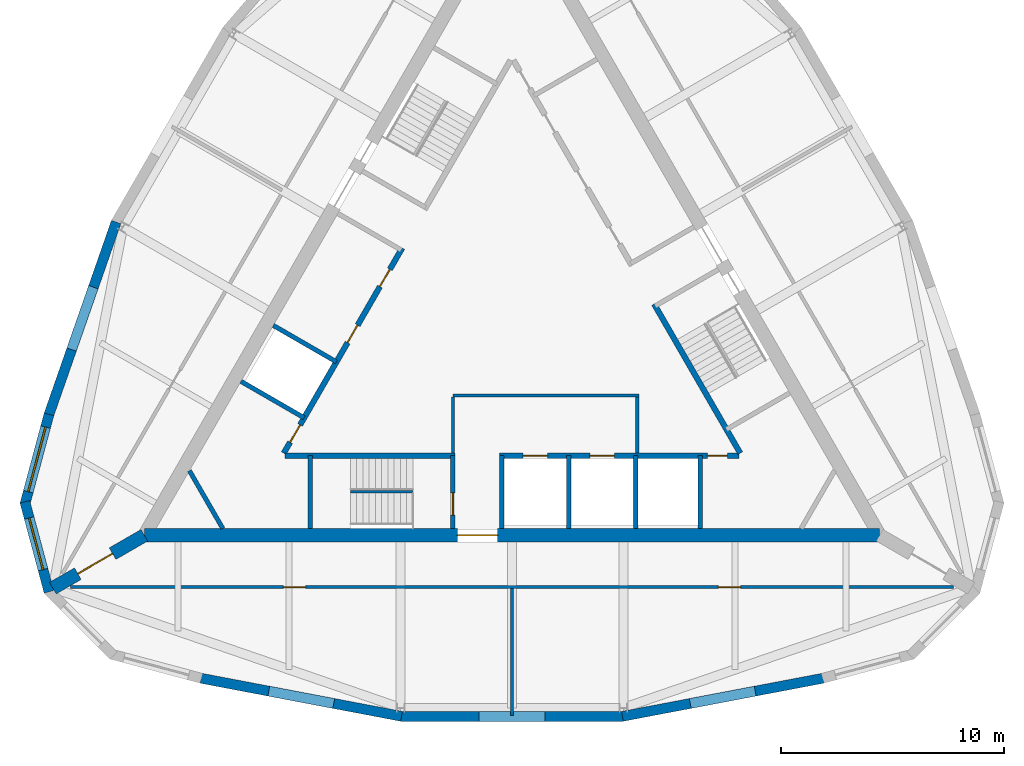
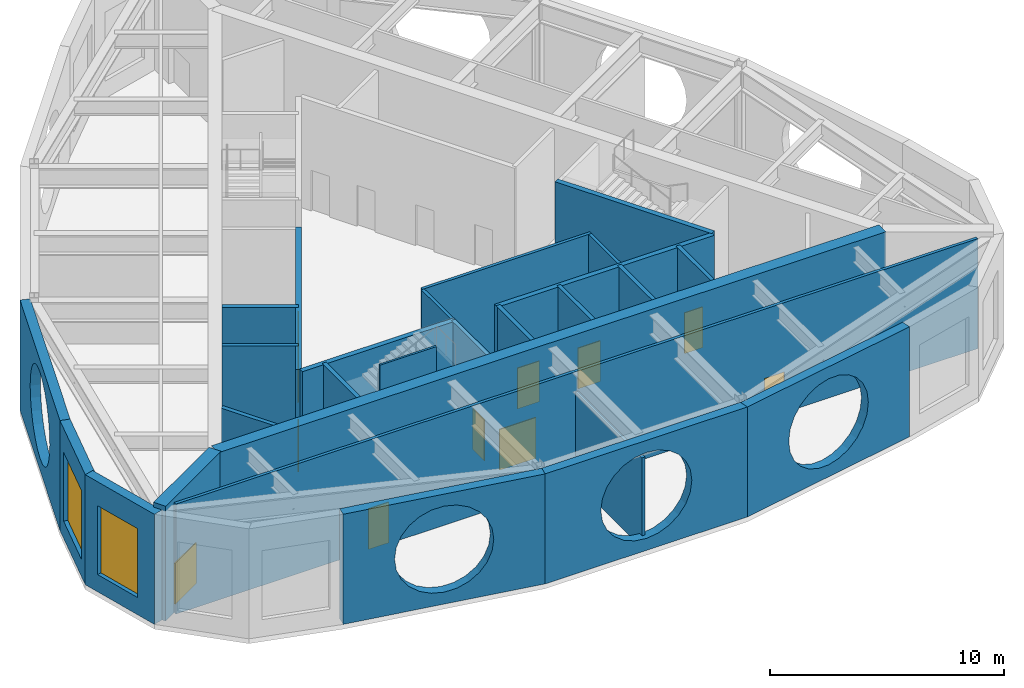
# One storey, part 2 of 5: 27 walls, 11 doors, 2 windows, 13 openings.
"""IFC4 building model written with IfcOpenShell, lengths in metres."""

from ifc_helpers import new_model, si_unit, direction, frame, frame_2d, origin, place, context, subcontext, project, spatial, polyline, rectangle, outline, extrude, material, layer, layer_set, type_object, element, fill, save


model = new_model("IFC4")

# Units and contexts
model_context = context("Model", 3, precision=1e-05, world=origin(), true_north=direction((0.0, 1.0)))
body_context = subcontext(model_context, "Body", "Model", "MODEL_VIEW")
ifc_project = project(units=[si_unit("LENGTHUNIT", "METRE"), si_unit("AREAUNIT", "SQUARE_METRE"), si_unit("VOLUMEUNIT", "CUBIC_METRE"), si_unit("PLANEANGLEUNIT", "RADIAN"), si_unit("MASSUNIT", "GRAM", prefix="KILO")], contexts=[model_context])

# Site, building, storey
site_placement = place(None, origin())
site = spatial("IfcSite", under=ifc_project, at=site_placement, CompositionType="ELEMENT")
building_placement = place(site_placement, origin())
building = spatial("IfcBuilding", under=site, at=building_placement, Name="Trikona Tower", CompositionType="ELEMENT")
storey_placement = place(building_placement, frame((0.0, 0.0, 297.800048828125)))
storey = spatial("IfcBuildingStorey", under=building, at=storey_placement, Name="L77", CompositionType="ELEMENT", Elevation=297.800048828125)

# Wall, opening, window
ifc_material_1 = material(Name="Brick-faced precast concrete", Category="masonry")
ifc_layer_1 = layer(ifc_material_1, 0.449951171875)
ifc_layer_set_1 = layer_set([ifc_layer_1], Name="Brick-faced corner wall 450")
wall_type_1 = type_object("IfcWallType", Name="Brick-faced corner wall 450", PredefinedType="SOLIDWALL", material=ifc_layer_set_1)
wall_1_placement = place(storey_placement, frame((-20.78271484375, -4.099609375, 0.0), z_axis=(0.0, 0.0, 1.0), x_axis=(-0.258784695888, -0.965935029479, 0.0)))
wall_1 = element("IfcWall", 1, at=wall_1_placement, inside=storey, type_object=wall_type_1, Name="External wall L77-17", PredefinedType="SOLIDWALL", context=body_context, shape_type="SweptSolid", body=[
    extrude(rectangle(XDim=4.18408203125, YDim=0.449951171875, at=frame_2d((2.092041015625, 0.0))), origin(), (0.0, 0.0, 1.0), 5.75),
])
opening_1_placement = place(wall_1_placement, frame((0.592041015625, 0.0, 0.89990234375)))
opening_1 = element("IfcOpeningElement", 2, at=opening_1_placement, cuts=wall_1, Name="Opening W3036", PredefinedType="OPENING", context=body_context, shape_type="SweptSolid", body=[
    extrude(rectangle(XDim=3.0, YDim=3.60009765625, at=frame_2d((1.5, 1.800048828125))), frame((0.0, 0.23486328125, 0.0), z_axis=(0.0, -1.0, 0.0), x_axis=(1.0, 0.0, 0.0)), (0.0, 0.0, 1.0), 0.469970703125),
])
ifc_material_2 = material(Name="Aluminium-framed double glazing", Category="aluminium")
window_type_1 = type_object("IfcWindowType", Name="Window 3000x3600", PartitioningType="SINGLE_PANEL", PredefinedType="WINDOW", material=ifc_material_2)
window_1_placement = place(opening_1_placement, origin())
window_1 = element("IfcWindow", 3, at=window_1_placement, inside=storey, type_object=window_type_1, Name="Window L77-ELT", OverallHeight=3.60009765625, OverallWidth=3.0, PartitioningType="SINGLE_PANEL", PredefinedType="WINDOW", context=body_context, shape_type="SweptSolid", body=[
    extrude(rectangle(XDim=3.0, YDim=3.60009765625, at=frame_2d((1.5, 1.800048828125))), frame((0.0, 0.030029296875, 0.0), z_axis=(0.0, -1.0, 0.0), x_axis=(1.0, 0.0, 0.0)), (0.0, 0.0, 1.0), 0.06005859375),
])
fill(opening_1, window_1)

wall_2_placement = place(storey_placement, frame((-21.865478515625, -8.024658203125, 0.0), z_axis=(0.0, 0.0, 1.0), x_axis=(0.258784695888, -0.965935029479, 0.0)))
wall_2 = element("IfcWall", 4, at=wall_2_placement, inside=storey, type_object=wall_type_1, Name="External wall L77-18", PredefinedType="SOLIDWALL", context=body_context, shape_type="SweptSolid", body=[
    extrude(outline(polyline([(4.18408203125, 0.22509765625), (4.12451171875, 0.22509765625), (3.77783203125, 0.132080078125), (3.7529296875, 0.22509765625), (0.0, 0.22509765625), (0.0, -0.22509765625), (4.18408203125, -0.22509765625), (4.18408203125, 0.22509765625)])), origin(), (0.0, 0.0, 1.0), 5.75),
])
opening_2_placement = place(wall_2_placement, frame((0.75146484375, 0.0, 0.89990234375)))
opening_2 = element("IfcOpeningElement", 5, at=opening_2_placement, cuts=wall_2, Name="Opening W2436", PredefinedType="OPENING", context=body_context, shape_type="SweptSolid", body=[
    extrude(rectangle(XDim=2.39990234375, YDim=3.60009765625, at=frame_2d((1.199951171875, 1.800048828125))), frame((0.0, 0.23486328125, 0.0), z_axis=(0.0, -1.0, 0.0), x_axis=(1.0, 0.0, 0.0)), (0.0, 0.0, 1.0), 0.469970703125),
])
ifc_material_3 = material(Name="Aluminium-framed double glazing", Category="aluminium")
window_type_2 = type_object("IfcWindowType", Name="Window 2400x3600", PartitioningType="SINGLE_PANEL", PredefinedType="WINDOW", material=ifc_material_3)
window_2_placement = place(opening_2_placement, origin())
window_2 = element("IfcWindow", 6, at=window_2_placement, inside=storey, type_object=window_type_2, Name="Window L77-ELT", OverallHeight=3.60009765625, OverallWidth=2.39990234375, PartitioningType="SINGLE_PANEL", PredefinedType="WINDOW", context=body_context, shape_type="SweptSolid", body=[
    extrude(rectangle(XDim=2.39990234375, YDim=3.60009765625, at=frame_2d((1.199951171875, 1.800048828125))), frame((0.0, 0.030029296875, 0.0), z_axis=(0.0, -1.0, 0.0), x_axis=(1.0, 0.0, 0.0)), (0.0, 0.0, 1.0), 0.06005859375),
])
fill(opening_2, window_2)

# Walls
ifc_material_4 = material(Name="Brick-faced precast concrete with louvred openings", Category="masonry")
ifc_layer_2 = layer(ifc_material_4, 0.449951171875)
ifc_layer_set_2 = layer_set([ifc_layer_2], Name="Brick-faced plant wall 450")
wall_type_2 = type_object("IfcWallType", Name="Brick-faced plant wall 450", PredefinedType="SOLIDWALL", material=ifc_layer_set_2)
wall_3_placement = place(storey_placement, frame((-13.9580078125, -15.94482421875, 0.0), z_axis=(0.0, 0.0, 1.0), x_axis=(0.982425233625, -0.18665653039, 0.0)))
element("IfcWall", 7, at=wall_3_placement, inside=storey, type_object=wall_type_2, Name="External wall L77-00", PredefinedType="SOLIDWALL", context=body_context, shape_type="SweptSolid", body=[
    extrude(outline(polyline([(0.0, 0.0), (9.160888671875, 0.0), (9.160888671875, 5.75), (0.0, 5.75), (0.0, 0.0)]), holes=[polyline([(6.83056640625, 2.875), (6.75390625, 3.457275390625), (6.529052734375, 4.0), (6.17138671875, 4.466064453125), (5.70556640625, 4.823486328125), (5.162841796875, 5.04833984375), (4.58056640625, 5.125), (3.998291015625, 5.04833984375), (3.45556640625, 4.823486328125), (2.989501953125, 4.466064453125), (2.6318359375, 4.0), (2.4072265625, 3.457275390625), (2.33056640625, 2.875), (2.4072265625, 2.292724609375), (2.6318359375, 1.75), (2.989501953125, 1.283935546875), (3.45556640625, 0.92626953125), (3.998291015625, 0.70166015625), (4.58056640625, 0.625), (5.162841796875, 0.70166015625), (5.70556640625, 0.92626953125), (6.17138671875, 1.283935546875), (6.529052734375, 1.75), (6.75390625, 2.292724609375), (6.83056640625, 2.875)])]), frame((0.0, 0.22509765625, 0.0), z_axis=(0.0, -1.0, 0.0), x_axis=(1.0, 0.0, 0.0)), (0.0, 0.0, 1.0), 0.449951171875),
])
wall_4_placement = place(storey_placement, frame((-5.0, -17.65087890625, 0.0), z_axis=(0.0, 0.0, 1.0), x_axis=(1.0, 0.0, 0.0)))
element("IfcWall", 8, at=wall_4_placement, inside=storey, type_object=wall_type_2, Name="External wall L77-01", PredefinedType="SOLIDWALL", context=body_context, shape_type="SweptSolid", body=[
    extrude(outline(polyline([(0.0, 0.0), (10.0, 0.0), (10.0, 5.75), (0.0, 5.75), (0.0, 0.0)]), holes=[polyline([(7.25, 2.875), (7.17333984375, 3.457275390625), (6.948486328125, 4.0), (6.591064453125, 4.466064453125), (6.125, 4.823486328125), (5.582275390625, 5.04833984375), (5.0, 5.125), (4.417724609375, 5.04833984375), (3.875, 4.823486328125), (3.408935546875, 4.466064453125), (3.051513671875, 4.0), (2.82666015625, 3.457275390625), (2.75, 2.875), (2.82666015625, 2.292724609375), (3.051513671875, 1.75), (3.408935546875, 1.283935546875), (3.875, 0.92626953125), (4.417724609375, 0.70166015625), (5.0, 0.625), (5.582275390625, 0.70166015625), (6.125, 0.92626953125), (6.591064453125, 1.283935546875), (6.948486328125, 1.75), (7.17333984375, 2.292724609375), (7.25, 2.875)])]), frame((0.0, 0.22509765625, 0.0), z_axis=(0.0, -1.0, 0.0), x_axis=(1.0, 0.0, 0.0)), (0.0, 0.0, 1.0), 0.449951171875),
])
wall_5_placement = place(storey_placement, frame((4.9580078125, -17.65478515625, 0.0), z_axis=(0.0, 0.0, 1.0), x_axis=(0.982425233625, 0.18665653039, 0.0)))
element("IfcWall", 9, at=wall_5_placement, inside=storey, type_object=wall_type_2, Name="External wall L77-02", PredefinedType="SOLIDWALL", context=body_context, shape_type="SweptSolid", body=[
    extrude(outline(polyline([(0.0, 0.0), (9.160888671875, 0.0), (9.160888671875, 5.75), (0.0, 5.75), (0.0, 0.0)]), holes=[polyline([(6.83056640625, 2.875), (6.75390625, 3.457275390625), (6.529052734375, 4.0), (6.17138671875, 4.466064453125), (5.70556640625, 4.823486328125), (5.162841796875, 5.04833984375), (4.58056640625, 5.125), (3.998291015625, 5.04833984375), (3.45556640625, 4.823486328125), (2.989501953125, 4.466064453125), (2.6318359375, 4.0), (2.4072265625, 3.457275390625), (2.33056640625, 2.875), (2.4072265625, 2.292724609375), (2.6318359375, 1.75), (2.989501953125, 1.283935546875), (3.45556640625, 0.92626953125), (3.998291015625, 0.70166015625), (4.58056640625, 0.625), (5.162841796875, 0.70166015625), (5.70556640625, 0.92626953125), (6.17138671875, 1.283935546875), (6.529052734375, 1.75), (6.75390625, 2.292724609375), (6.83056640625, 2.875)])]), frame((0.0, 0.22509765625, 0.0), z_axis=(0.0, -1.0, 0.0), x_axis=(1.0, 0.0, 0.0)), (0.0, 0.0, 1.0), 0.449951171875),
])
wall_6_placement = place(storey_placement, frame((-17.7685546875, 4.53369140625, 0.0), z_axis=(0.0, 0.0, 1.0), x_axis=(-0.329547852357, -0.944138873793, 0.0)))
element("IfcWall", 10, at=wall_6_placement, inside=storey, type_object=wall_type_2, Name="External wall L77-16", PredefinedType="SOLIDWALL", context=body_context, shape_type="SweptSolid", body=[
    extrude(outline(polyline([(0.0, 0.0), (9.1611328125, 0.0), (9.1611328125, 5.75), (0.0, 5.75), (0.0, 0.0)]), holes=[polyline([(6.83056640625, 2.875), (6.75390625, 3.457275390625), (6.529052734375, 4.0), (6.17138671875, 4.466064453125), (5.70556640625, 4.823486328125), (5.162841796875, 5.04833984375), (4.58056640625, 5.125), (3.998291015625, 5.04833984375), (3.45556640625, 4.823486328125), (2.989501953125, 4.466064453125), (2.632080078125, 4.0), (2.4072265625, 3.457275390625), (2.33056640625, 2.875), (2.4072265625, 2.292724609375), (2.632080078125, 1.75), (2.989501953125, 1.283935546875), (3.45556640625, 0.92626953125), (3.998291015625, 0.70166015625), (4.58056640625, 0.625), (5.162841796875, 0.70166015625), (5.70556640625, 0.92626953125), (6.17138671875, 1.283935546875), (6.529052734375, 1.75), (6.75390625, 2.292724609375), (6.83056640625, 2.875)])]), frame((0.0, 0.22509765625, 0.0), z_axis=(0.0, -1.0, 0.0), x_axis=(1.0, 0.0, 0.0)), (0.0, 0.0, 1.0), 0.449951171875),
])

# Wall, opening, door
ifc_material_5 = material(Name="Concrete f'c 10000 psi", Category="concrete")
ifc_layer_3 = layer(ifc_material_5, 0.60009765625)
ifc_layer_set_3 = layer_set([ifc_layer_3], Name="Buttress wall 600")
wall_type_3 = type_object("IfcWallType", Name="Buttress wall 600", PredefinedType="SHEAR", material=ifc_layer_set_3)
wall_7_placement = place(storey_placement, frame((-16.5, -9.5263671875, 0.0), z_axis=(0.0, 0.0, 1.0), x_axis=(-0.866031398331, -0.499989616998, 0.0)))
wall_7 = element("IfcWall", 11, at=wall_7_placement, inside=storey, type_object=wall_type_3, Name="Buttress wall 3", PredefinedType="SHEAR", context=body_context, shape_type="SweptSolid", body=[
    extrude(rectangle(XDim=4.74609375, YDim=0.60009765625, at=frame_2d((2.373046875, 0.0))), origin(), (0.0, 0.0, 1.0), 6.0),
])
opening_3_placement = place(wall_7_placement, frame((1.64990234375, 0.0, 0.0)))
opening_3 = element("IfcOpeningElement", 12, at=opening_3_placement, cuts=wall_7, Name="Opening D10", PredefinedType="OPENING", context=body_context, shape_type="SweptSolid", body=[
    extrude(rectangle(XDim=1.800048828125, YDim=2.1298828125, at=frame_2d((0.89990234375, 1.06494140625))), frame((0.0, 0.31005859375, 0.0), z_axis=(0.0, -1.0, 0.0), x_axis=(1.0, 0.0, 0.0)), (0.0, 0.0, 1.0), 0.6201171875),
])
ifc_material_6 = material(Name="Hollow metal door and frame", Category="steel")
door_type_1 = type_object("IfcDoorType", Name="Cross-corridor door pair 1800x2130", OperationType="DOUBLE_DOOR_DOUBLE_SWING", PredefinedType="DOOR", material=ifc_material_6)
door_1_placement = place(opening_3_placement, origin())
door_1 = element("IfcDoor", 13, at=door_1_placement, inside=storey, type_object=door_type_1, Name="Cross-corridor door 3", OperationType="DOUBLE_DOOR_DOUBLE_SWING", OverallHeight=2.1298828125, OverallWidth=1.800048828125, PredefinedType="DOOR", context=body_context, shape_type="SweptSolid", body=[
    extrude(rectangle(XDim=1.800048828125, YDim=2.1298828125, at=frame_2d((0.89990234375, 1.06494140625))), frame((0.0, 0.02490234375, 0.0), z_axis=(0.0, -1.0, 0.0), x_axis=(1.0, 0.0, 0.0)), (0.0, 0.0, 1.0), 0.050048828125),
])
fill(opening_3, door_1)

ifc_material_7 = material(Name="Concrete f'c 10000 psi", Category="concrete")
ifc_layer_4 = layer(ifc_material_7, 0.60009765625)
ifc_layer_set_4 = layer_set([ifc_layer_4], Name="Core wall 600")
wall_type_4 = type_object("IfcWallType", Name="Core wall 600", PredefinedType="SHEAR", material=ifc_layer_set_4)
wall_8_placement = place(storey_placement, frame((-16.5, -9.5263671875, 0.0), z_axis=(0.0, 0.0, 1.0), x_axis=(1.0, 0.0, 0.0)))
wall_8 = element("IfcWall", 14, at=wall_8_placement, inside=storey, type_object=wall_type_4, Name="Core wall A", PredefinedType="SHEAR", context=body_context, shape_type="SweptSolid", body=[
    extrude(rectangle(XDim=33.0, YDim=0.60009765625, at=frame_2d((16.5, 0.0))), origin(), (0.0, 0.0, 1.0), 6.0),
])
opening_4_placement = place(wall_8_placement, frame((14.050048828125, 0.0, 0.0)))
opening_4 = element("IfcOpeningElement", 15, at=opening_4_placement, cuts=wall_8, Name="Opening D6", PredefinedType="OPENING", context=body_context, shape_type="SweptSolid", body=[
    extrude(rectangle(XDim=1.800048828125, YDim=2.1298828125, at=frame_2d((0.89990234375, 1.06494140625))), frame((0.0, 0.31005859375, 0.0), z_axis=(0.0, -1.0, 0.0), x_axis=(1.0, 0.0, 0.0)), (0.0, 0.0, 1.0), 0.6201171875),
])
ifc_material_8 = material(Name="Hollow metal door and frame", Category="steel")
door_type_2 = type_object("IfcDoorType", Name="Lobby door pair 1800x2130", OperationType="DOUBLE_DOOR_SINGLE_SWING", PredefinedType="DOOR", material=ifc_material_8)
door_2_placement = place(opening_4_placement, origin())
door_2 = element("IfcDoor", 16, at=door_2_placement, inside=storey, type_object=door_type_2, Name="Fire service lift lobby door", OperationType="DOUBLE_DOOR_SINGLE_SWING", OverallHeight=2.1298828125, OverallWidth=1.800048828125, PredefinedType="DOOR", context=body_context, shape_type="SweptSolid", body=[
    extrude(rectangle(XDim=1.800048828125, YDim=2.1298828125, at=frame_2d((0.89990234375, 1.06494140625))), frame((0.0, 0.02490234375, 0.0), z_axis=(0.0, -1.0, 0.0), x_axis=(1.0, 0.0, 0.0)), (0.0, 0.0, 1.0), 0.050048828125),
])
fill(opening_4, door_2)

# Wall, openings, doors
ifc_material_9 = material(Name="Metal stud and gypsum board, 1-hour", Category="gypsum")
ifc_layer_5 = layer(ifc_material_9, 0.14990234375)
ifc_layer_set_5 = layer_set([ifc_layer_5], Name="Corridor wall 150")
wall_type_5 = type_object("IfcWallType", Name="Corridor wall 150", PredefinedType="PARTITIONING", material=ifc_layer_set_5)
wall_9_placement = place(storey_placement, frame((-19.826904296875, -11.851318359375, 0.0), z_axis=(0.0, 0.0, 1.0), x_axis=(1.0, 0.0, 0.0)))
wall_9 = element("IfcWall", 17, at=wall_9_placement, inside=storey, type_object=wall_type_5, Name="Corridor wall L77-1", PredefinedType="PARTITIONING", context=body_context, shape_type="SweptSolid", body=[
    extrude(rectangle(XDim=39.65380859375, YDim=0.14990234375, at=frame_2d((19.826904296875, 0.0))), origin(), (0.0, 0.0, 1.0), 5.75),
])
opening_5_placement = place(wall_9_placement, frame((9.5634765625, 0.0, 0.0)))
opening_5 = element("IfcOpeningElement", 18, at=opening_5_placement, cuts=wall_9, Name="Opening D3", PredefinedType="OPENING", context=body_context, shape_type="SweptSolid", body=[
    extrude(rectangle(XDim=1.0, YDim=2.1298828125, at=frame_2d((0.5, 1.06494140625))), frame((0.0, 0.0849609375, 0.0), z_axis=(0.0, -1.0, 0.0), x_axis=(1.0, 0.0, 0.0)), (0.0, 0.0, 1.0), 0.169921875),
])
opening_6_placement = place(wall_9_placement, frame((29.090576171875, 0.0, 0.0)))
opening_6 = element("IfcOpeningElement", 19, at=opening_6_placement, cuts=wall_9, Name="Opening D3", PredefinedType="OPENING", context=body_context, shape_type="SweptSolid", body=[
    extrude(rectangle(XDim=1.0, YDim=2.1298828125, at=frame_2d((0.5, 1.06494140625))), frame((0.0, 0.0849609375, 0.0), z_axis=(0.0, -1.0, 0.0), x_axis=(1.0, 0.0, 0.0)), (0.0, 0.0, 1.0), 0.169921875),
])
ifc_material_10 = material(Name="Steel door frame with solid-core timber leaf", Category="steel")
door_type_3 = type_object("IfcDoorType", Name="Room door 1000x2130", OperationType="SINGLE_SWING_LEFT", PredefinedType="DOOR", material=ifc_material_10)
door_3_placement = place(opening_5_placement, origin())
door_3 = element("IfcDoor", 20, at=door_3_placement, inside=storey, type_object=door_type_3, Name="Door Stair pressurisation fan plant room", OperationType="SINGLE_SWING_LEFT", OverallHeight=2.1298828125, OverallWidth=1.0, PredefinedType="DOOR", context=body_context, shape_type="SweptSolid", body=[
    extrude(rectangle(XDim=1.0, YDim=2.1298828125, at=frame_2d((0.5, 1.06494140625))), frame((0.0, 0.02490234375, 0.0), z_axis=(0.0, -1.0, 0.0), x_axis=(1.0, 0.0, 0.0)), (0.0, 0.0, 1.0), 0.050048828125),
])
fill(opening_5, door_3)
door_4_placement = place(opening_6_placement, origin())
door_4 = element("IfcDoor", 21, at=door_4_placement, inside=storey, type_object=door_type_3, Name="Door Lift machine room", OperationType="SINGLE_SWING_RIGHT", OverallHeight=2.1298828125, OverallWidth=1.0, PredefinedType="DOOR", context=body_context, shape_type="SweptSolid", body=[
    extrude(rectangle(XDim=1.0, YDim=2.1298828125, at=frame_2d((0.5, 1.06494140625))), frame((0.0, 0.02490234375, 0.0), z_axis=(0.0, -1.0, 0.0), x_axis=(1.0, 0.0, 0.0)), (0.0, 0.0, 1.0), 0.050048828125),
])
fill(opening_6, door_4)

# Wall
ifc_material_11 = material(Name="Concrete f'c 8000 psi", Category="concrete")
ifc_layer_6 = layer(ifc_material_11, 0.25)
ifc_layer_set_6 = layer_set([ifc_layer_6], Name="Hub wall 250")
wall_type_6 = type_object("IfcWallType", Name="Hub wall 250", PredefinedType="SOLIDWALL", material=ifc_layer_set_6)
wall_10_placement = place(storey_placement, frame((-10.182861328125, -5.951416015625, 0.0), z_axis=(0.0, 0.0, 1.0), x_axis=(1.0, 0.0, 0.0)))
element("IfcWall", 22, at=wall_10_placement, inside=storey, type_object=wall_type_6, Name="Lift lobby wall A1", PredefinedType="SOLIDWALL", context=body_context, shape_type="SweptSolid", body=[
    extrude(rectangle(XDim=7.6328125, YDim=0.25, at=frame_2d((3.81640625, 0.0))), origin(), (0.0, 0.0, 1.0), 5.75),
])

# Wall, openings, doors
wall_11_placement = place(storey_placement, frame((-0.550048828125, -5.951416015625, 0.0), z_axis=(0.0, 0.0, 1.0), x_axis=(1.0, 0.0, 0.0)))
wall_11 = element("IfcWall", 23, at=wall_11_placement, inside=storey, type_object=wall_type_6, Name="Lift lobby wall A2", PredefinedType="SOLIDWALL", context=body_context, shape_type="SweptSolid", body=[
    extrude(rectangle(XDim=10.73291015625, YDim=0.25, at=frame_2d((5.366455078125, 0.0))), origin(), (0.0, 0.0, 1.0), 5.75),
])
opening_7_placement = place(wall_11_placement, frame((9.31396484375, 0.0, 0.0)))
opening_7 = element("IfcOpeningElement", 24, at=opening_7_placement, cuts=wall_11, Name="Opening D14", PredefinedType="OPENING", context=body_context, shape_type="SweptSolid", body=[
    extrude(rectangle(XDim=0.89990234375, YDim=2.1298828125, at=frame_2d((0.449951171875, 1.06494140625))), frame((0.0, 0.135009765625, 0.0), z_axis=(0.0, -1.0, 0.0), x_axis=(1.0, 0.0, 0.0)), (0.0, 0.0, 1.0), 0.27001953125),
])
opening_8_placement = place(wall_11_placement, frame((1.050048828125, 0.0, 0.0)))
opening_8 = element("IfcOpeningElement", 25, at=opening_8_placement, cuts=wall_11, Name="Opening LD", PredefinedType="OPENING", context=body_context, shape_type="SweptSolid", body=[
    extrude(rectangle(XDim=1.10009765625, YDim=2.1298828125, at=frame_2d((0.550048828125, 1.06494140625))), frame((0.0, 0.135009765625, 0.0), z_axis=(0.0, -1.0, 0.0), x_axis=(1.0, 0.0, 0.0)), (0.0, 0.0, 1.0), 0.27001953125),
])
opening_9_placement = place(wall_11_placement, frame((4.050048828125, 0.0, 0.0)))
opening_9 = element("IfcOpeningElement", 26, at=opening_9_placement, cuts=wall_11, Name="Opening LD", PredefinedType="OPENING", context=body_context, shape_type="SweptSolid", body=[
    extrude(rectangle(XDim=1.10009765625, YDim=2.1298828125, at=frame_2d((0.550048828125, 1.06494140625))), frame((0.0, 0.135009765625, 0.0), z_axis=(0.0, -1.0, 0.0), x_axis=(1.0, 0.0, 0.0)), (0.0, 0.0, 1.0), 0.27001953125),
])
ifc_material_12 = material(Name="Stainless steel lift landing door", Category="steel")
door_type_4 = type_object("IfcDoorType", Name="Lift landing door 1100x2130", OperationType="DOUBLE_DOOR_SLIDING", PredefinedType="USERDEFINED", material=ifc_material_12)
door_5_placement = place(opening_8_placement, origin())
door_5 = element("IfcDoor", 27, at=door_5_placement, inside=storey, type_object=door_type_4, Name="Lift landing door FF1", ObjectType="LIFT LANDING DOOR", OperationType="DOUBLE_DOOR_SLIDING", OverallHeight=2.1298828125, OverallWidth=1.10009765625, PredefinedType="USERDEFINED", context=body_context, shape_type="SweptSolid", body=[
    extrude(rectangle(XDim=1.10009765625, YDim=2.1298828125, at=frame_2d((0.550048828125, 1.06494140625))), frame((0.0, 0.02490234375, 0.0), z_axis=(0.0, -1.0, 0.0), x_axis=(1.0, 0.0, 0.0)), (0.0, 0.0, 1.0), 0.050048828125),
])
fill(opening_8, door_5)
door_6_placement = place(opening_9_placement, origin())
door_6 = element("IfcDoor", 28, at=door_6_placement, inside=storey, type_object=door_type_4, Name="Lift landing door FF2", ObjectType="LIFT LANDING DOOR", OperationType="DOUBLE_DOOR_SLIDING", OverallHeight=2.1298828125, OverallWidth=1.10009765625, PredefinedType="USERDEFINED", context=body_context, shape_type="SweptSolid", body=[
    extrude(rectangle(XDim=1.10009765625, YDim=2.1298828125, at=frame_2d((0.550048828125, 1.06494140625))), frame((0.0, 0.02490234375, 0.0), z_axis=(0.0, -1.0, 0.0), x_axis=(1.0, 0.0, 0.0)), (0.0, 0.0, 1.0), 0.050048828125),
])
fill(opening_9, door_6)
ifc_material_13 = material(Name="Hollow metal door and frame", Category="steel")
door_type_5 = type_object("IfcDoorType", Name="Service room door 900x2130", OperationType="SINGLE_SWING_LEFT", PredefinedType="DOOR", material=ifc_material_13)
door_7_placement = place(opening_7_placement, origin())
door_7 = element("IfcDoor", 29, at=door_7_placement, inside=storey, type_object=door_type_5, Name="Door Electrical room ELR", OperationType="SINGLE_SWING_RIGHT", OverallHeight=2.1298828125, OverallWidth=0.89990234375, PredefinedType="DOOR", context=body_context, shape_type="SweptSolid", body=[
    extrude(rectangle(XDim=0.89990234375, YDim=2.1298828125, at=frame_2d((0.449951171875, 1.06494140625))), frame((0.0, 0.02490234375, 0.0), z_axis=(0.0, -1.0, 0.0), x_axis=(1.0, 0.0, 0.0)), (0.0, 0.0, 1.0), 0.050048828125),
])
fill(opening_7, door_7)

# Wall
wall_12_placement = place(storey_placement, frame((10.245361328125, -5.843017578125, 0.0), z_axis=(0.0, 0.0, 1.0), x_axis=(-0.499993009313, 0.866029439822, 0.0)))
element("IfcWall", 30, at=wall_12_placement, inside=storey, type_object=wall_type_6, Name="Lift lobby wall B1", PredefinedType="SOLIDWALL", context=body_context, shape_type="SweptSolid", body=[
    extrude(rectangle(XDim=7.73291015625, YDim=0.25, at=frame_2d((3.866455078125, 0.0))), origin(), (0.0, 0.0, 1.0), 5.75),
])

# Wall, openings, doors
wall_13_placement = place(storey_placement, frame((-4.928955078125, 3.365478515625, 0.0), z_axis=(0.0, 0.0, 1.0), x_axis=(-0.499991433582, -0.866030349552, 0.0)))
wall_13 = element("IfcWall", 31, at=wall_13_placement, inside=storey, type_object=wall_type_6, Name="Lift lobby wall C2", PredefinedType="SOLIDWALL", context=body_context, shape_type="SweptSolid", body=[
    extrude(rectangle(XDim=10.633056640625, YDim=0.25, at=frame_2d((5.31640625, 0.0))), origin(), (0.0, 0.0, 1.0), 5.75),
])
opening_10_placement = place(wall_13_placement, frame((9.1640625, 0.0, 0.0)))
opening_10 = element("IfcOpeningElement", 32, at=opening_10_placement, cuts=wall_13, Name="Opening D14", PredefinedType="OPENING", context=body_context, shape_type="SweptSolid", body=[
    extrude(rectangle(XDim=0.89990234375, YDim=2.1298828125, at=frame_2d((0.449951171875, 1.06494140625))), frame((0.0, 0.135009765625, 0.0), z_axis=(0.0, -1.0, 0.0), x_axis=(1.0, 0.0, 0.0)), (0.0, 0.0, 1.0), 0.27001953125),
])
opening_11_placement = place(wall_13_placement, frame((1.10009765625, 0.0, 0.0)))
opening_11 = element("IfcOpeningElement", 33, at=opening_11_placement, cuts=wall_13, Name="Opening D14", PredefinedType="OPENING", context=body_context, shape_type="SweptSolid", body=[
    extrude(rectangle(XDim=0.89990234375, YDim=2.1298828125, at=frame_2d((0.449951171875, 1.06494140625))), frame((0.0, 0.135009765625, 0.0), z_axis=(0.0, -1.0, 0.0), x_axis=(1.0, 0.0, 0.0)), (0.0, 0.0, 1.0), 0.27001953125),
])
opening_12_placement = place(wall_13_placement, frame((4.0, 0.0, 0.0)))
opening_12 = element("IfcOpeningElement", 34, at=opening_12_placement, cuts=wall_13, Name="Opening D14", PredefinedType="OPENING", context=body_context, shape_type="SweptSolid", body=[
    extrude(rectangle(XDim=0.89990234375, YDim=2.1298828125, at=frame_2d((0.449951171875, 1.06494140625))), frame((0.0, 0.135009765625, 0.0), z_axis=(0.0, -1.0, 0.0), x_axis=(1.0, 0.0, 0.0)), (0.0, 0.0, 1.0), 0.27001953125),
])
door_8_placement = place(opening_10_placement, origin())
door_8 = element("IfcDoor", 35, at=door_8_placement, inside=storey, type_object=door_type_5, Name="Door Plant store PST", OperationType="SINGLE_SWING_RIGHT", OverallHeight=2.1298828125, OverallWidth=0.89990234375, PredefinedType="DOOR", context=body_context, shape_type="SweptSolid", body=[
    extrude(rectangle(XDim=0.89990234375, YDim=2.1298828125, at=frame_2d((0.449951171875, 1.06494140625))), frame((0.0, 0.02490234375, 0.0), z_axis=(0.0, -1.0, 0.0), x_axis=(1.0, 0.0, 0.0)), (0.0, 0.0, 1.0), 0.050048828125),
])
fill(opening_10, door_8)
door_9_placement = place(opening_11_placement, origin())
door_9 = element("IfcDoor", 36, at=door_9_placement, inside=storey, type_object=door_type_5, Name="Door Plant store PST4", OperationType="SINGLE_SWING_LEFT", OverallHeight=2.1298828125, OverallWidth=0.89990234375, PredefinedType="DOOR", context=body_context, shape_type="SweptSolid", body=[
    extrude(rectangle(XDim=0.89990234375, YDim=2.1298828125, at=frame_2d((0.449951171875, 1.06494140625))), frame((0.0, 0.02490234375, 0.0), z_axis=(0.0, -1.0, 0.0), x_axis=(1.0, 0.0, 0.0)), (0.0, 0.0, 1.0), 0.050048828125),
])
fill(opening_11, door_9)
door_10_placement = place(opening_12_placement, origin())
door_10 = element("IfcDoor", 37, at=door_10_placement, inside=storey, type_object=door_type_5, Name="Door Plant store PST4", OperationType="SINGLE_SWING_RIGHT", OverallHeight=2.1298828125, OverallWidth=0.89990234375, PredefinedType="DOOR", context=body_context, shape_type="SweptSolid", body=[
    extrude(rectangle(XDim=0.89990234375, YDim=2.1298828125, at=frame_2d((0.449951171875, 1.06494140625))), frame((0.0, 0.02490234375, 0.0), z_axis=(0.0, -1.0, 0.0), x_axis=(1.0, 0.0, 0.0)), (0.0, 0.0, 1.0), 0.050048828125),
])
fill(opening_12, door_10)

# Walls
ifc_material_14 = material(Name="Metal stud and gypsum board, 2-hour shaft wall", Category="gypsum")
ifc_layer_7 = layer(ifc_material_14, 0.14990234375)
ifc_layer_set_7 = layer_set([ifc_layer_7], Name="Lobby wall 150")
wall_type_7 = type_object("IfcWallType", Name="Lobby wall 150", PredefinedType="PARTITIONING", material=ifc_layer_set_7)
wall_14_placement = place(storey_placement, frame((-2.64990234375, -3.251220703125, 0.0), z_axis=(0.0, 0.0, 1.0), x_axis=(1.0, 0.0, 0.0)))
element("IfcWall", 38, at=wall_14_placement, inside=storey, type_object=wall_type_7, Name="Fire service lift lobby wall 1", PredefinedType="PARTITIONING", context=body_context, shape_type="SweptSolid", body=[
    extrude(rectangle(XDim=8.349853515625, YDim=0.14990234375, at=frame_2d((4.1748046875, 0.0))), origin(), (0.0, 0.0, 1.0), 5.75),
])
for number, where, z_axis, x_axis, name in (
    (39, (-2.64990234375, -5.826416015625, 0.0), (0.0, 0.0, 1.0), (0.0, 1.0, 0.0), "Fire service lift lobby wall 2"),
    (40, (5.625, -5.826416015625, 0.0), (0.0, 0.0, 1.0), (0.0, 1.0, 0.0), "Fire service lift lobby wall 3"),
):
    element("IfcWall", number, at=place(storey_placement, frame(where, z_axis=z_axis, x_axis=x_axis)), inside=storey, type_object=wall_type_7, Name=name, PredefinedType="PARTITIONING", context=body_context, shape_type="SweptSolid", body=[
        extrude(rectangle(XDim=2.5, YDim=0.14990234375, at=frame_2d((1.25, 0.0))), origin(), (0.0, 0.0, 1.0), 5.75),
    ])
ifc_material_15 = material(Name="Metal stud and gypsum board, 1-hour acoustic", Category="gypsum")
ifc_layer_8 = layer(ifc_material_15, 0.14990234375)
ifc_layer_set_8 = layer_set([ifc_layer_8], Name="Party wall 150")
wall_type_8 = type_object("IfcWallType", Name="Party wall 150", PredefinedType="PARTITIONING", material=ifc_layer_set_8)
wall_15_placement = place(storey_placement, frame((0.0, -11.92626953125, 0.0), z_axis=(0.0, 0.0, 1.0), x_axis=(0.0, -1.0, 0.0)))
element("IfcWall", 41, at=wall_15_placement, inside=storey, type_object=wall_type_8, Name="Partition L77 F1 u0", PredefinedType="PARTITIONING", context=body_context, shape_type="SweptSolid", body=[
    extrude(rectangle(XDim=5.699462890625, YDim=0.14990234375, at=frame_2d((2.849609375, 0.0))), origin(), (0.0, 0.0, 1.0), 4.70849609375),
])
ifc_material_16 = material(Name="Concrete f'c 8000 psi", Category="concrete")
ifc_layer_9 = layer(ifc_material_16, 0.199951171875)
ifc_layer_set_9 = layer_set([ifc_layer_9], Name="Shaft wall 200")
wall_type_9 = type_object("IfcWallType", Name="Shaft wall 200", PredefinedType="SOLIDWALL", material=ifc_layer_set_9)
for number, where, z_axis, x_axis, name in (
    (42, (-0.449951171875, -5.951416015625, 0.0), (0.0, 0.0, 1.0), (0.0, -1.0, 0.0), "Shaft wall A3"),
    (43, (2.550048828125, -5.951416015625, 0.0), (0.0, 0.0, 1.0), (0.0, -1.0, 0.0), "Shaft wall A4"),
    (44, (5.550048828125, -5.951416015625, 0.0), (0.0, 0.0, 1.0), (0.0, -1.0, 0.0), "Shaft wall A5"),
    (45, (8.449951171875, -5.951416015625, 0.0), (0.0, 0.0, 1.0), (0.0, -1.0, 0.0), "Shaft wall A6"),
    (46, (-7.87890625, -1.744140625, 0.0), (0.0, 0.0, 1.0), (-0.866027924134, 0.499995634601, 0.0), "Shaft wall C5"),
    (47, (-9.3291015625, -4.255615234375, 0.0), (0.0, 0.0, 1.0), (-0.866027924134, 0.499995634601, 0.0), "Shaft wall C6"),
):
    element("IfcWall", number, at=place(storey_placement, frame(where, z_axis=z_axis, x_axis=x_axis)), inside=storey, type_object=wall_type_9, Name=name, PredefinedType="SOLIDWALL", context=body_context, shape_type="SweptSolid", body=[
        extrude(rectangle(XDim=3.27490234375, YDim=0.199951171875, at=frame_2d((1.637451171875, 0.0))), origin(), (0.0, 0.0, 1.0), 5.75),
    ])
wall_16_placement = place(storey_placement, frame((-12.978271484375, -9.226318359375, 0.0), z_axis=(0.0, 0.0, 1.0), x_axis=(-0.499952404951, 0.866052881055, 0.0)))
element("IfcWall", 48, at=wall_16_placement, inside=storey, type_object=wall_type_9, Name="Riser wall L77-RS3", PredefinedType="SOLIDWALL", context=body_context, shape_type="SweptSolid", body=[
    extrude(rectangle(XDim=3.002197265625, YDim=0.199951171875, at=frame_2d((1.5009765625, 0.0))), origin(), (0.0, 0.0, 1.0), 5.75),
])
ifc_material_17 = material(Name="Concrete f'c 8000 psi", Category="concrete")
ifc_layer_10 = layer(ifc_material_17, 0.199951171875)
ifc_layer_set_10 = layer_set([ifc_layer_10], Name="Shaft wall 200 load-bearing")
wall_type_10 = type_object("IfcWallType", Name="Shaft wall 200 load-bearing", PredefinedType="SOLIDWALL", material=ifc_layer_set_10)
wall_17_placement = place(storey_placement, frame((-9.050048828125, -5.951416015625, 0.0), z_axis=(0.0, 0.0, 1.0), x_axis=(0.0, -1.0, 0.0)))
element("IfcWall", 49, at=wall_17_placement, inside=storey, type_object=wall_type_10, Name="Shaft wall A1", PredefinedType="SOLIDWALL", context=body_context, shape_type="SweptSolid", body=[
    extrude(rectangle(XDim=3.27490234375, YDim=0.199951171875, at=frame_2d((1.637451171875, 0.0))), origin(), (0.0, 0.0, 1.0), 5.75),
])

# Wall, opening, door
wall_18_placement = place(storey_placement, frame((-2.64990234375, -5.951416015625, 0.0), z_axis=(0.0, 0.0, 1.0), x_axis=(0.0, -1.0, 0.0)))
wall_18 = element("IfcWall", 50, at=wall_18_placement, inside=storey, type_object=wall_type_10, Name="Shaft wall A2", PredefinedType="SOLIDWALL", context=body_context, shape_type="SweptSolid", body=[
    extrude(rectangle(XDim=3.27490234375, YDim=0.199951171875, at=frame_2d((1.637451171875, 0.0))), origin(), (0.0, 0.0, 1.0), 5.75),
])
opening_13_placement = place(wall_18_placement, frame((1.675048828125, 0.0, 0.0)))
opening_13 = element("IfcOpeningElement", 51, at=opening_13_placement, cuts=wall_18, Name="Opening D5", PredefinedType="OPENING", context=body_context, shape_type="SweptSolid", body=[
    extrude(rectangle(XDim=1.0, YDim=2.1298828125, at=frame_2d((0.5, 1.06494140625))), frame((0.0, 0.10986328125, 0.0), z_axis=(0.0, -1.0, 0.0), x_axis=(1.0, 0.0, 0.0)), (0.0, 0.0, 1.0), 0.219970703125),
])
ifc_material_18 = material(Name="Hollow metal door and frame", Category="steel")
door_type_6 = type_object("IfcDoorType", Name="Stair door 1000x2130", OperationType="SINGLE_SWING_LEFT", PredefinedType="DOOR", material=ifc_material_18)
door_11_placement = place(opening_13_placement, origin())
door_11 = element("IfcDoor", 52, at=door_11_placement, inside=storey, type_object=door_type_6, Name="Stair A door", OperationType="SINGLE_SWING_RIGHT", OverallHeight=2.1298828125, OverallWidth=1.0, PredefinedType="DOOR", context=body_context, shape_type="SweptSolid", body=[
    extrude(rectangle(XDim=1.0, YDim=2.1298828125, at=frame_2d((0.5, 1.06494140625))), frame((0.0, 0.02490234375, 0.0), z_axis=(0.0, -1.0, 0.0), x_axis=(1.0, 0.0, 0.0)), (0.0, 0.0, 1.0), 0.050048828125),
])
fill(opening_13, door_11)

# Wall
ifc_material_19 = material(Name="Concrete f'c 5000 psi", Category="concrete")
ifc_layer_11 = layer(ifc_material_19, 0.10009765625)
ifc_layer_set_11 = layer_set([ifc_layer_11], Name="Stair spine wall 100")
wall_type_11 = type_object("IfcWallType", Name="Stair spine wall 100", PredefinedType="SOLIDWALL", material=ifc_layer_set_11)
wall_19_placement = place(storey_placement, frame((-7.2470703125, -7.576416015625, 0.0), z_axis=(0.0, 0.0, 1.0), x_axis=(1.0, 0.0, 0.0)))
element("IfcWall", 53, at=wall_19_placement, inside=storey, type_object=wall_type_11, Name="Stair A spine wall L77", PredefinedType="SOLIDWALL", context=body_context, shape_type="SweptSolid", body=[
    extrude(rectangle(XDim=2.794189453125, YDim=0.10009765625, at=frame_2d((1.39697265625, 0.0))), origin(), (0.0, 0.0, 1.0), 6.0),
])

save(model, "model.ifc")
